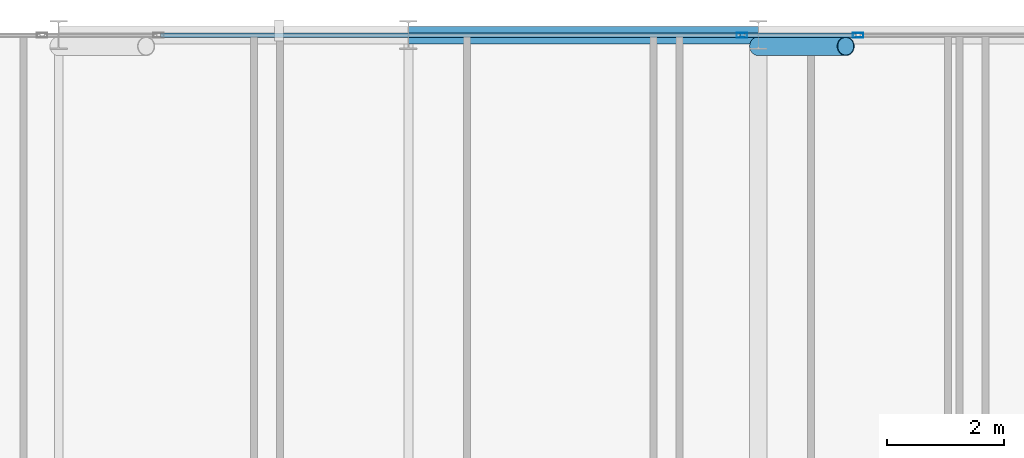
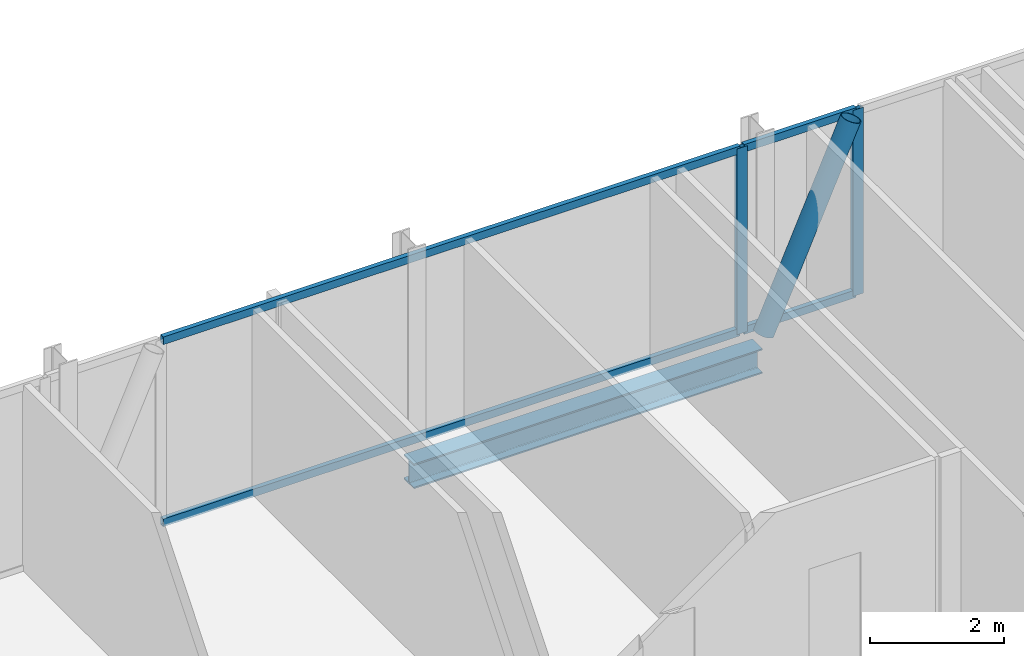
# One storey, part 18 of 31: 7 members, 1 beam, 2 elements without a shape of their own.
"""IFC4 building model written with IfcOpenShell, lengths in metres."""

from ifc_helpers import new_model, si_unit, direction, frame, origin, origin_2d, place, context, subcontext, project, spatial, hollow_rectangle, hollow_circle, i_section, extrude, material, layer, layer_set, material_profile, profile_set, type_object, element, aggregate, save


model = new_model("IFC4")

# Units and contexts
model_context = context("Model", 3, precision=1e-05, world=origin(), true_north=direction((0.0, 1.0)))
body_context = subcontext(model_context, "Body", "Model", "MODEL_VIEW")
ifc_project = project(units=[si_unit("LENGTHUNIT", "METRE"), si_unit("AREAUNIT", "SQUARE_METRE"), si_unit("VOLUMEUNIT", "CUBIC_METRE"), si_unit("PLANEANGLEUNIT", "RADIAN"), si_unit("MASSUNIT", "GRAM", prefix="KILO")], contexts=[model_context])

# Site, building, storey
site_placement = place(None, origin())
site = spatial("IfcSite", under=ifc_project, at=site_placement, CompositionType="ELEMENT")
building_placement = place(site_placement, origin())
building = spatial("IfcBuilding", under=site, at=building_placement, Name="Keshet Zoharim Tower", CompositionType="ELEMENT")
storey_placement = place(building_placement, frame((0.0, 0.0, 140.89990234375)))
storey = spatial("IfcBuildingStorey", under=building, at=storey_placement, Name="L34", CompositionType="ELEMENT", Elevation=140.89990234375)

# Beam
ifc_material_1 = material(Name="Steel S355", Category="steel")
ifc_material_profile_1 = material_profile(ifc_material_1, i_section(OverallWidth=0.300048828125, OverallDepth=0.449951171875, WebThickness=0.013916015625, FlangeThickness=0.02587890625, FilletRadius=0.027099609375, at=origin_2d()), Name="HEB450")
ifc_profile_set_1 = profile_set([ifc_material_profile_1], Name="Steel S355")
beam_type = type_object("IfcBeamType", Name="BM-WEB-HB450", PredefinedType="BEAM", material=ifc_profile_set_1)
beam_placement = place(storey_placement, frame((27.0, 53.89990234375, -0.539794921875), z_axis=(1.0, 0.0, 0.0), x_axis=(0.0, 1.0, 0.0)))
element("IfcBeam", 1, at=beam_placement, inside=storey, type_object=beam_type, Name="L34 Primary Girder X-021", PredefinedType="BEAM", context=body_context, shape_type="SweptSolid", body=[
    extrude(i_section(OverallWidth=0.300048828125, OverallDepth=0.449951171875, WebThickness=0.013916015625, FlangeThickness=0.02587890625, FilletRadius=0.027099609375, at=origin_2d()), origin(), (0.0, 0.0, 1.0), 6.0),
])

# Curtain wall, member
ifc_material_2 = material(Name="Aluminium 6063-T6", Category="aluminium")
ifc_layer = layer(ifc_material_2, 0.159912109375)
ifc_layer_set = layer_set([ifc_layer], Name="Aluminium 6063-T6")
curtain_wall_type = type_object("IfcCurtainWallType", Name="CW-SYS-03", PredefinedType="NOTDEFINED", material=ifc_layer_set)
curtain_wall_1_placement = place(storey_placement, origin())
curtain_wall_1 = element("IfcCurtainWall", 2, at=curtain_wall_1_placement, inside=storey, type_object=curtain_wall_type, Name="L34 Unitised Curtain Wall 13 Part 3", PredefinedType="NOTDEFINED")
ifc_material_profile_2 = material_profile(ifc_material_2, hollow_rectangle(XDim=0.080078125, YDim=0.179931640625, WallThickness=0.00439453125, at=origin_2d()), Name="MUL-80x180")
ifc_profile_set_2 = profile_set([ifc_material_profile_2], Name="Aluminium 6063-T6")
member_type_1 = type_object("IfcMemberType", Name="CWM-M18", PredefinedType="MULLION", material=ifc_profile_set_2)
member_1_placement = place(storey_placement, frame((32.716796875, 53.89990234375, 0.0), z_axis=(0.0, 0.0, 1.0), x_axis=(0.0, 1.0, 0.0)))
member_1 = element("IfcMember", 3, at=member_1_placement, type_object=member_type_1, Name="CW-03 mullion 2", PredefinedType="MULLION", context=body_context, shape_type="SweptSolid", body=[
    extrude(hollow_rectangle(XDim=0.080078125, YDim=0.179931640625, WallThickness=0.00439453125, at=origin_2d()), origin(), (0.0, 0.0, 1.0), 3.385009765625),
])

curtain_wall_2_placement = place(storey_placement, origin())
curtain_wall_2 = element("IfcCurtainWall", 4, at=curtain_wall_2_placement, inside=storey, type_object=curtain_wall_type, Name="L34 Unitised Curtain Wall 13 Part 4", PredefinedType="NOTDEFINED")
member_2_placement = place(storey_placement, frame((34.713134765625, 53.89990234375, 0.0), z_axis=(0.0, 0.0, 1.0), x_axis=(0.0, 1.0, 0.0)))
member_2 = element("IfcMember", 5, at=member_2_placement, type_object=member_type_1, Name="CW-03 mullion 2", PredefinedType="MULLION", context=body_context, shape_type="SweptSolid", body=[
    extrude(hollow_rectangle(XDim=0.080078125, YDim=0.179931640625, WallThickness=0.00439453125, at=origin_2d()), origin(), (0.0, 0.0, 1.0), 3.385009765625),
])

# Member
ifc_material_profile_3 = material_profile(ifc_material_2, hollow_rectangle(XDim=0.080078125, YDim=0.139892578125, WallThickness=0.00390625, at=origin_2d()), Name="TRN-80x140")
ifc_profile_set_3 = profile_set([ifc_material_profile_3], Name="Aluminium 6063-T6")
member_type_2 = type_object("IfcMemberType", Name="CWT-T14", PredefinedType="USERDEFINED", material=ifc_profile_set_3)
member_3_placement = place(storey_placement, frame((22.748046875, 53.89990234375, 0.03515625), z_axis=(1.0, 0.0, 0.0), x_axis=(0.0, 1.0, 0.0)))
member_3 = element("IfcMember", 6, at=member_3_placement, type_object=member_type_2, Name="CW-03 transom 1.1", ObjectType="TRANSOM", PredefinedType="USERDEFINED", context=body_context, shape_type="SweptSolid", body=[
    extrude(hollow_rectangle(XDim=0.080078125, YDim=0.139892578125, WallThickness=0.00390625, at=origin_2d()), origin(), (0.0, 0.0, 1.0), 9.933837890625),
])

member_4_placement = place(storey_placement, frame((22.748046875, 53.89990234375, 3.35009765625), z_axis=(1.0, 0.0, 0.0), x_axis=(0.0, 1.0, 0.0)))
member_4 = element("IfcMember", 7, at=member_4_placement, type_object=member_type_2, Name="CW-03 transom 1.2", ObjectType="TRANSOM", PredefinedType="USERDEFINED", context=body_context, shape_type="SweptSolid", body=[
    extrude(hollow_rectangle(XDim=0.080078125, YDim=0.139892578125, WallThickness=0.00390625, at=origin_2d()), origin(), (0.0, 0.0, 1.0), 9.933837890625),
])

aggregate(curtain_wall_1, [member_1, member_3, member_4])

member_5_placement = place(storey_placement, frame((32.751953125, 53.89990234375, 0.03515625), z_axis=(1.0, 0.0, 0.0), x_axis=(0.0, 1.0, 0.0)))
member_5 = element("IfcMember", 8, at=member_5_placement, type_object=member_type_2, Name="CW-03 transom 1.1", ObjectType="TRANSOM", PredefinedType="USERDEFINED", context=body_context, shape_type="SweptSolid", body=[
    extrude(hollow_rectangle(XDim=0.080078125, YDim=0.139892578125, WallThickness=0.00390625, at=origin_2d()), origin(), (0.0, 0.0, 1.0), 1.926025390625),
])

member_6_placement = place(storey_placement, frame((32.751953125, 53.89990234375, 3.35009765625), z_axis=(1.0, 0.0, 0.0), x_axis=(0.0, 1.0, 0.0)))
member_6 = element("IfcMember", 9, at=member_6_placement, type_object=member_type_2, Name="CW-03 transom 1.2", ObjectType="TRANSOM", PredefinedType="USERDEFINED", context=body_context, shape_type="SweptSolid", body=[
    extrude(hollow_rectangle(XDim=0.080078125, YDim=0.139892578125, WallThickness=0.00390625, at=origin_2d()), origin(), (0.0, 0.0, 1.0), 1.926025390625),
])

aggregate(curtain_wall_2, [member_2, member_5, member_6])

ifc_material_profile_4 = material_profile(ifc_material_1, hollow_circle(Radius=0.161865234375, WallThickness=0.012451171875, at=origin_2d()), Name="CHS323x12.5")
ifc_profile_set_4 = profile_set([ifc_material_profile_4], Name="Steel S355")
member_type_3 = type_object("IfcMemberType", Name="MB-BR-C323", PredefinedType="BRACE", material=ifc_profile_set_4)
member_7_placement = place(storey_placement, frame((33.0, 53.7099609375, 0.0), z_axis=(0.405134846829, 0.0, 0.91425694194), x_axis=(0.0, 1.0, 0.0)))
element("IfcMember", 10, at=member_7_placement, inside=storey, type_object=member_type_3, Name="L34 Perimeter Tube Brace 03", PredefinedType="BRACE", context=body_context, shape_type="SweptSolid", body=[
    extrude(hollow_circle(Radius=0.161865234375, WallThickness=0.012451171875, at=origin_2d()), origin(), (0.0, 0.0, 1.0), 3.702392578125),
])

save(model, "model.ifc")
